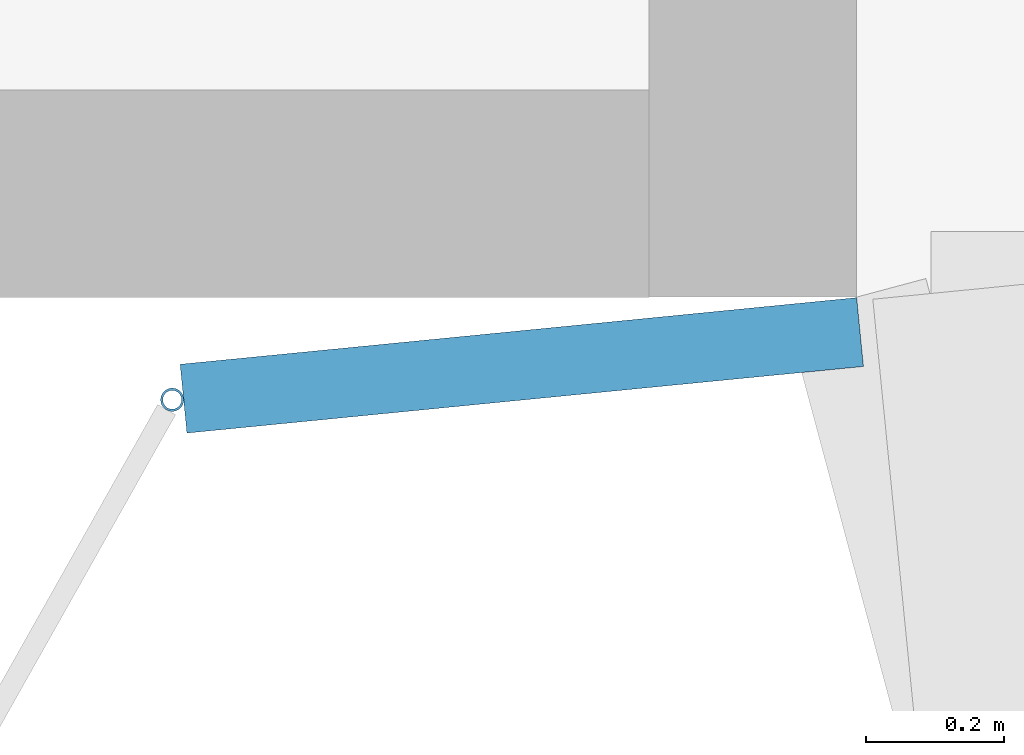
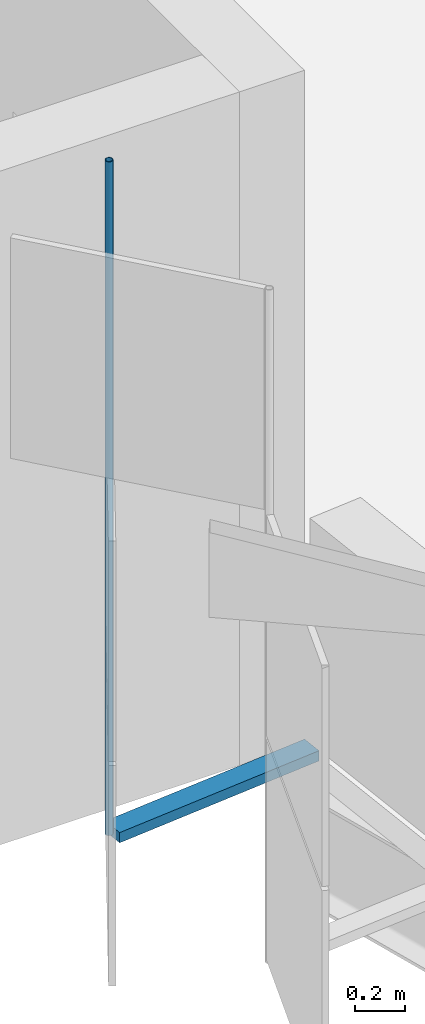
# One storey, part 67 of 198: 2 discrete accessories.
"""IFC4 building model written with IfcOpenShell, lengths in metres."""

from ifc_helpers import new_model, si_unit, direction, frame, origin, origin_2d, place, context, subcontext, project, spatial, rectangle, hollow_circle, extrude, material, material_profile, profile_set, type_object, element, save


model = new_model("IFC4")

# Units and contexts
model_context = context("Model", 3, precision=1e-05, world=origin(), true_north=direction((0.0, 1.0)))
body_context = subcontext(model_context, "Body", "Model", "MODEL_VIEW")
ifc_project = project(units=[si_unit("LENGTHUNIT", "METRE"), si_unit("AREAUNIT", "SQUARE_METRE"), si_unit("VOLUMEUNIT", "CUBIC_METRE"), si_unit("PLANEANGLEUNIT", "RADIAN"), si_unit("MASSUNIT", "GRAM", prefix="KILO")], contexts=[model_context])

# Site, building, storey
site_placement = place(None, origin())
site = spatial("IfcSite", under=ifc_project, at=site_placement, CompositionType="ELEMENT")
building_placement = place(site_placement, origin())
building = spatial("IfcBuilding", under=site, at=building_placement, Name="Parallax Yard Mobility Hub", CompositionType="ELEMENT")
storey_placement = place(building_placement, frame((0.0, 0.0, 6.60009765625)))
storey = spatial("IfcBuildingStorey", under=building, at=storey_placement, Name="L02", CompositionType="ELEMENT", Elevation=6.60009765625)

# Discrete accessories
ifc_material_1 = material(Name="Steel ASTM A36, hot-dip galvanised", Category="steel")
discrete_accessory_type_1 = type_object("IfcDiscreteAccessoryType", Name="Hinge bracket plate 100x50", PredefinedType="BRACKET", material=ifc_material_1)
discrete_accessory_1_placement = place(storey_placement, frame((22.015869140625, 119.9013671875, -0.02490234375), z_axis=(0.0, 0.0, 1.0), x_axis=(-0.995184726672, -0.09801714033, 0.0)))
element("IfcDiscreteAccessory", 1, at=discrete_accessory_1_placement, inside=storey, type_object=discrete_accessory_type_1, Name="Hinge bracket plate bay 72.1 level L02", PredefinedType="BRACKET", context=body_context, shape_type="SweptSolid", body=[
    extrude(rectangle(XDim=0.984130859375, YDim=0.10009765625, at=origin_2d()), origin(), (0.0, 0.0, 1.0), 0.050048828125),
])
ifc_material_2 = material(Name="Steel ASTM A500 Gr C, hot-dip galvanised", Category="steel")
ifc_material_profile = material_profile(ifc_material_2, hollow_circle(Radius=0.016845703125, WallThickness=0.003173828125, at=origin_2d()), Name="CHS 33.7x3.2")
ifc_profile_set = profile_set([ifc_material_profile], Name="Steel ASTM A500 Gr C, hot-dip galvanised")
discrete_accessory_type_2 = type_object("IfcDiscreteAccessoryType", Name="Hinge post CHS 33.7x3.2", PredefinedType="BRACKET", material=ifc_profile_set)
discrete_accessory_2_placement = place(storey_placement, frame((21.509765625, 119.8515625, 0.0), z_axis=(0.0, 0.0, 1.0), x_axis=(1.0, 0.0, 0.0)))
element("IfcDiscreteAccessory", 2, at=discrete_accessory_2_placement, inside=storey, type_object=discrete_accessory_type_2, Name="Hinge post bay 72.1 level L02", PredefinedType="BRACKET", context=body_context, shape_type="SweptSolid", body=[
    extrude(hollow_circle(Radius=0.016845703125, WallThickness=0.003173828125, at=origin_2d()), origin(), (0.0, 0.0, 1.0), 3.2998046875),
])

save(model, "model.ifc")
